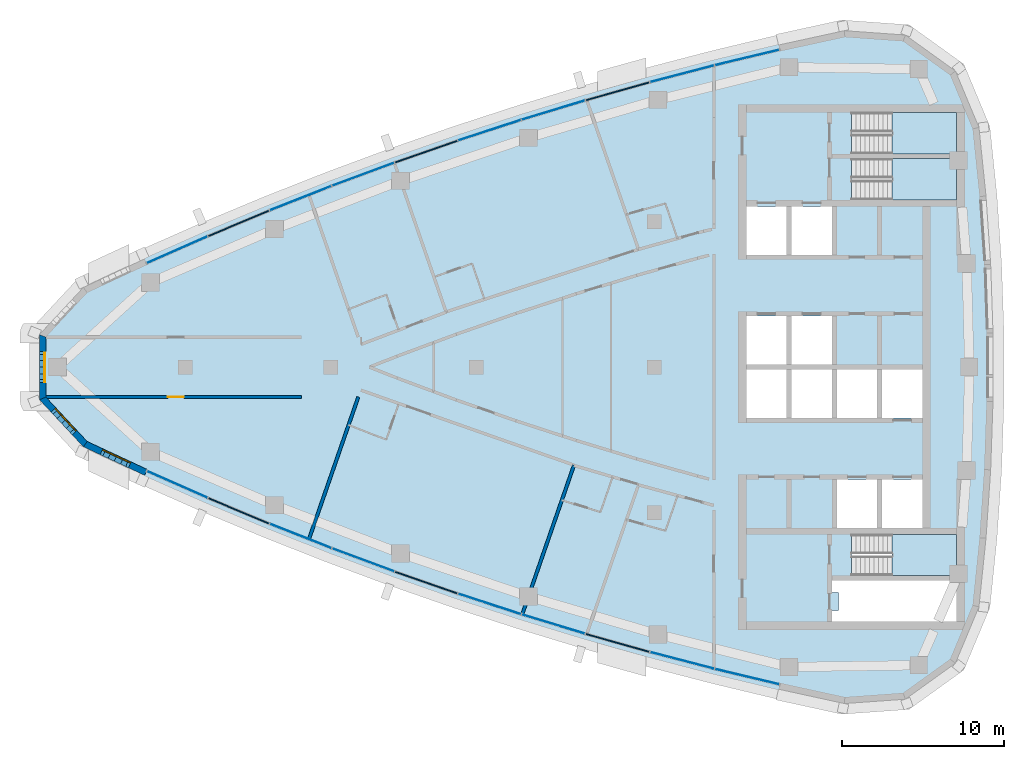
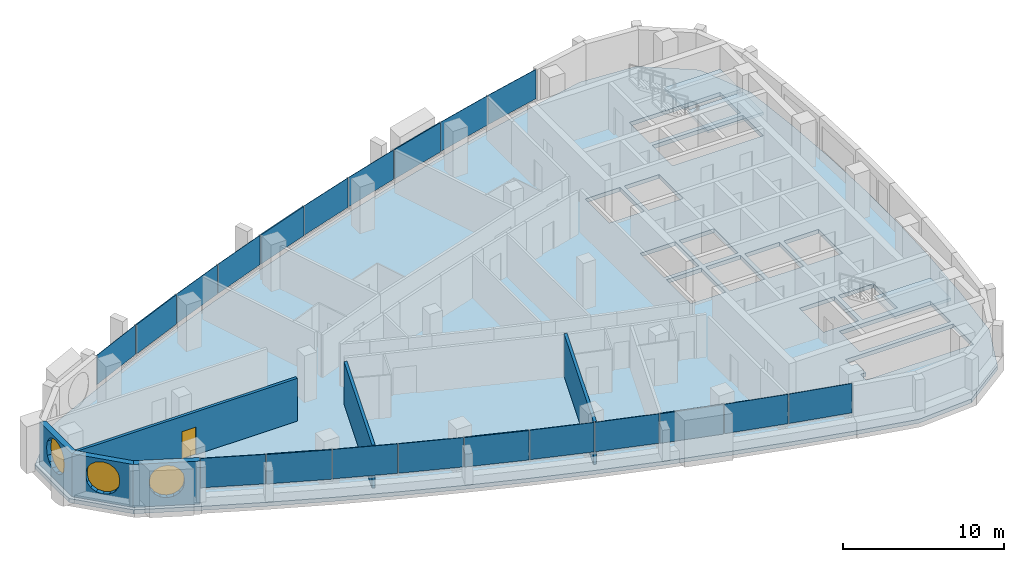
# One storey, part 6 of 14: 20 plates, 6 walls, 4 slabs, 3 windows, 1 door, 5 openings, 13 elements without a shape of their own.
"""IFC4 building model written with IfcOpenShell, lengths in metres."""

import ifcopenshell
import ifcopenshell.guid

model = None  # the IFC model being written
_history = None  # IfcOwnerHistory: only IFC2X3 demands one
_inside = {}  # id of a spatial element -> (the spatial element, [elements in it])
_under = {}  # id of a project, library or spatial element -> (it, [spatial elements below it])
_declared = {}  # id of a project -> (the project, [libraries it declares])
_typed = {}  # id of a type object -> (the type object, [elements of that type])
_made_of = {}  # id of a material, layer set ... -> (it, [elements and type objects made of it])


def new_model(schema):
    """Start an empty IFC model of exactly this schema.

    Asked for "IFC4X3", IfcOpenShell would pick the latest addendum, in which some entities
    have other attributes; the version numbers below select the first issue.
    IFC2X3 requires an IfcOwnerHistory on every rooted entity: one is made here for all.
    """
    global model, _history
    if schema == "IFC4X3":
        model = ifcopenshell.file(schema_version=(4, 3, 0, 0))
    else:
        model = ifcopenshell.file(schema=schema)
    _inside.clear()
    _under.clear()
    _declared.clear()
    _typed.clear()
    _made_of.clear()
    _history = None
    if model.schema == "IFC2X3":
        org = make("IfcOrganization", Name="unknown")
        user = make(
            "IfcPersonAndOrganization",
            ThePerson=make("IfcPerson", FamilyName="unknown"),
            TheOrganization=org,
        )
        app = make(
            "IfcApplication",
            ApplicationDeveloper=org,
            Version="unknown",
            ApplicationFullName="unknown",
            ApplicationIdentifier="unknown",
        )
        _history = make(
            "IfcOwnerHistory",
            OwningUser=user,
            OwningApplication=app,
            ChangeAction="ADDED",
            CreationDate=0,
        )
    return model


def make(cls, **values):
    """One entity of the class cls with the attributes given. An attribute that is None is left unset."""
    return model.create_entity(
        cls, **{name: value for name, value in values.items() if value is not None}
    )


def rooted(cls, **values):
    """An entity with a GlobalId (a new one), such as an element, a storey or a relation."""
    return make(cls, GlobalId=ifcopenshell.guid.new(), OwnerHistory=_history, **values)


def si_unit(unit_type, name, prefix=None):
    """IfcSIUnit, for example si_unit("LENGTHUNIT", "METRE", prefix="MILLI")."""
    return make("IfcSIUnit", UnitType=unit_type, Prefix=prefix, Name=name)


def assignment(units):
    """IfcUnitAssignment: the units of a project."""
    return None if units is None else make("IfcUnitAssignment", Units=units)


def point(xyz):
    """IfcCartesianPoint."""
    return None if xyz is None else make("IfcCartesianPoint", Coordinates=xyz)


def direction(xyz):
    """IfcDirection."""
    return None if xyz is None else make("IfcDirection", DirectionRatios=xyz)


def frame(location, z_axis=None, x_axis=None):
    """IfcAxis2Placement3D, a coordinate frame: its origin and axes. An axis left out is left unset."""
    return make(
        "IfcAxis2Placement3D",
        Location=point(location),
        Axis=direction(z_axis),
        RefDirection=direction(x_axis),
    )


def frame_2d(location, x_axis=None):
    """IfcAxis2Placement2D, a coordinate frame in the plane: its origin and x axis."""
    return make(
        "IfcAxis2Placement2D", Location=point(location), RefDirection=direction(x_axis)
    )


def origin():
    """The frame at (0, 0, 0) with its axes left unset."""
    return frame((0.0, 0.0, 0.0))


def origin_2d():
    """The frame at (0, 0) in the plane with its x axis left unset."""
    return frame_2d((0.0, 0.0))


def place(relative_to, where):
    """IfcLocalPlacement: puts the frame where relative to a parent placement (None: the world)."""
    return make(
        "IfcLocalPlacement", PlacementRelTo=relative_to, RelativePlacement=where
    )


def context(
    kind, dimensions, precision=None, world=None, true_north=None, identifier=None
):
    """IfcGeometricRepresentationContext, for example the 3D "Model" context."""
    return make(
        "IfcGeometricRepresentationContext",
        ContextIdentifier=identifier,
        ContextType=kind,
        CoordinateSpaceDimension=dimensions,
        Precision=precision,
        WorldCoordinateSystem=world,
        TrueNorth=true_north,
    )


def subcontext(parent, identifier, kind, view, scale=None):
    """IfcGeometricRepresentationSubContext, for example "Body" below "Model"."""
    return make(
        "IfcGeometricRepresentationSubContext",
        ContextIdentifier=identifier,
        ContextType=kind,
        ParentContext=parent,
        TargetScale=scale,
        TargetView=view,
    )


def project(units=None, contexts=None):
    """IfcProject with its units and contexts."""
    return rooted(
        "IfcProject",
        Name="project",
        RepresentationContexts=contexts,
        UnitsInContext=assignment(units),
    )


def spatial(cls, under=None, at=None, **own):
    """A site, building, storey or space (cls), placed at a placement, below another one or the project."""
    s = rooted(cls, ObjectPlacement=at, **own)
    if under is not None:
        _under.setdefault(under.id(), (under, []))[1].append(s)
    return s


def polyline(points):
    """IfcPolyline through the points."""
    return make("IfcPolyline", Points=[point(p) for p in points])


def profile(cls, at=None, kind="AREA", **sizes):
    """A parametric profile (cls). Its sizes go by their IFC names, for example OverallWidth=200.0."""
    return make(cls, ProfileType=kind, Position=at, **sizes)


def rectangle(**sizes):
    """IfcRectangleProfileDef."""
    return profile("IfcRectangleProfileDef", **sizes)


def outline(outer, holes=None, kind="AREA"):
    """IfcArbitraryClosedProfileDef: a profile drawn as a closed curve; with holes, ...WithVoids."""
    if holes is None:
        return make("IfcArbitraryClosedProfileDef", ProfileType=kind, OuterCurve=outer)
    return make(
        "IfcArbitraryProfileDefWithVoids",
        ProfileType=kind,
        OuterCurve=outer,
        InnerCurves=holes,
    )


def extrude(swept, where, along, depth):
    """IfcExtrudedAreaSolid: the profile swept, set in the frame where, extruded along a direction by depth."""
    return make(
        "IfcExtrudedAreaSolid",
        SweptArea=swept,
        Position=where,
        ExtrudedDirection=direction(along),
        Depth=depth,
    )


def shape(context_of_items, identifier, shape_type, items):
    """IfcShapeRepresentation: the items that make up one representation, for example the "Body"."""
    return make(
        "IfcShapeRepresentation",
        ContextOfItems=context_of_items,
        RepresentationIdentifier=identifier,
        RepresentationType=shape_type,
        Items=items,
    )


def material(Name=None, Category=None):
    """IfcMaterial."""
    return make("IfcMaterial", Name=Name, Category=Category)


def layer(
    of_material, thickness, ventilated=None, Name=None, Category=None, Priority=None
):
    """IfcMaterialLayer: one layer of a wall or slab, of a material (None: an air gap)."""
    return make(
        "IfcMaterialLayer",
        Material=of_material,
        LayerThickness=thickness,
        IsVentilated=ventilated,
        Name=Name,
        Category=Category,
        Priority=Priority,
    )


def layer_set(layers, Name=None):
    """IfcMaterialLayerSet."""
    return make("IfcMaterialLayerSet", MaterialLayers=layers, LayerSetName=Name)


def made_of(thing, what):
    """Note that an element or type object is made of a material, layer set ...; save() writes the relation."""
    if what is not None:
        _made_of.setdefault(what.id(), (what, []))[1].append(thing)
    return thing


def type_object(cls, material=None, **own):
    """A type object (cls), such as IfcWallType, which elements share."""
    return made_of(rooted(cls, **own), material)


def element(
    cls,
    number,
    at=None,
    inside=None,
    cuts=None,
    type_object=None,
    material=None,
    context=None,
    identifier="Body",
    shape_type=None,
    held_by="IfcProductDefinitionShape",
    body=None,
    shapes=None,
    **own,
):
    """One element of the class cls, such as IfcWall. Its Tag is "e" and its number.

    at: its placement. inside: the storey or other place that contains it. cuts: it is an
    opening in that element (IfcRelVoidsElement). A single representation is given by context,
    identifier, shape_type and body (its items); several are given by shapes. held_by: the class
    of the entity that holds the representations. save() writes the other relations.
    """
    e = rooted(cls, Tag="e%d" % number, ObjectPlacement=at, **own)
    if body is not None:
        shapes = [shape(context, identifier, shape_type, body)]
    if shapes is not None:
        e.Representation = make(held_by, Representations=shapes)
    if inside is not None:
        _inside.setdefault(inside.id(), (inside, []))[1].append(e)
    if cuts is not None:
        rooted(
            "IfcRelVoidsElement", RelatingBuildingElement=cuts, RelatedOpeningElement=e
        )
    if type_object is not None:
        _typed.setdefault(type_object.id(), (type_object, []))[1].append(e)
    return made_of(e, material)


def fill(opening, filler):
    """IfcRelFillsElement: the door or window that sits in an opening."""
    return rooted(
        "IfcRelFillsElement",
        RelatingOpeningElement=opening,
        RelatedBuildingElement=filler,
    )


def aggregate(whole, parts):
    """IfcRelAggregates: a whole, such as a stair, and the parts it consists of."""
    return rooted("IfcRelAggregates", RelatingObject=whole, RelatedObjects=parts)


def save(model, path):
    """Write the relations noted so far, then the file.

    IfcRelAggregates (storeys below a building ...), IfcRelContainedInSpatialStructure (elements
    in a storey), IfcRelDefinesByType, IfcRelAssociatesMaterial and IfcRelDeclares: one each for
    every whole, place, type object, material and project.
    """
    for whole, parts in _under.values():
        aggregate(whole, parts)
    for where, things in _inside.values():
        rooted(
            "IfcRelContainedInSpatialStructure",
            RelatedElements=things,
            RelatingStructure=where,
        )
    for kind, things in _typed.values():
        rooted("IfcRelDefinesByType", RelatedObjects=things, RelatingType=kind)
    for what, things in _made_of.values():
        rooted("IfcRelAssociatesMaterial", RelatedObjects=things, RelatingMaterial=what)
    for by, libraries in _declared.values():
        rooted("IfcRelDeclares", RelatingContext=by, RelatedDefinitions=libraries)
    model.write(path)


model = new_model("IFC4")

# Units and contexts
model_context = context("Model", 3, precision=1e-05, world=origin(), true_north=direction((0.0, 1.0)))
body_context = subcontext(model_context, "Body", "Model", "MODEL_VIEW")
ifc_project = project(units=[si_unit("LENGTHUNIT", "METRE"), si_unit("AREAUNIT", "SQUARE_METRE"), si_unit("VOLUMEUNIT", "CUBIC_METRE"), si_unit("PLANEANGLEUNIT", "RADIAN"), si_unit("MASSUNIT", "GRAM", prefix="KILO")], contexts=[model_context])

# Site, building, storey
site_placement = place(None, origin())
site = spatial("IfcSite", under=ifc_project, at=site_placement, CompositionType="ELEMENT")
building_placement = place(site_placement, origin())
building = spatial("IfcBuilding", under=site, at=building_placement, Name="Ostrand Prow Hotel Tower", CompositionType="ELEMENT")
storey_placement = place(building_placement, frame((0.0, 0.0, 271.449951171875)))
storey = spatial("IfcBuildingStorey", under=building, at=storey_placement, Name="L68", CompositionType="ELEMENT", Elevation=271.449951171875)

# Curtain wall, plate
ifc_material_1 = material(Name="Insulated glass in bronze anodised frame", Category="glass")
ifc_layer_1 = layer(ifc_material_1, 0.199951171875)
ifc_layer_set_1 = layer_set([ifc_layer_1], Name="Insulated glass in bronze anodised frame")
curtain_wall_type = type_object("IfcCurtainWallType", Name="Strip curtain wall, fritted glass over bronze spandrel", PredefinedType="NOTDEFINED", material=ifc_layer_set_1)
curtain_wall_1_placement = place(storey_placement, origin())
curtain_wall_1 = element("IfcCurtainWall", 1, at=curtain_wall_1_placement, inside=storey, type_object=curtain_wall_type, Name="CW1 run CWS1", PredefinedType="NOTDEFINED")
ifc_material_2 = material(Name="Ceramic-fritted glass", Category="glass")
ifc_layer_2 = layer(ifc_material_2, 0.031982421875)
ifc_layer_set_2 = layer_set([ifc_layer_2], Name="Ceramic-fritted glass")
plate_type_1 = type_object("IfcPlateType", Name="Dot-fritted ceramic glass unit 32 mm", PredefinedType="CURTAIN_PANEL", material=ifc_layer_set_2)
plate_1_placement = place(storey_placement, frame((15.493408203125, -7.259765625, 1.02001953125), z_axis=(0.0, 0.0, 1.0), x_axis=(0.914785615941, -0.403939694592, 0.0)))
plate_1 = element("IfcPlate", 2, at=plate_1_placement, type_object=plate_type_1, Name="CW1 PN-D panel 1.2", PredefinedType="CURTAIN_PANEL", context=body_context, shape_type="SweptSolid", body=[
    extrude(rectangle(XDim=4.079833984375, YDim=0.031982421875, at=origin_2d()), origin(), (0.0, 0.0, 1.0), 2.22998046875),
])

# Curtain wall, plates
curtain_wall_2_placement = place(storey_placement, origin())
curtain_wall_2 = element("IfcCurtainWall", 3, at=curtain_wall_2_placement, inside=storey, type_object=curtain_wall_type, Name="CW1 run CWS2", PredefinedType="NOTDEFINED")
plate_2_placement = place(storey_placement, frame((23.132568359375, -10.450927734375, 1.02001953125), z_axis=(0.0, 0.0, 1.0), x_axis=(0.930281895249, -0.366845465248, 0.0)))
plate_2 = element("IfcPlate", 4, at=plate_2_placement, type_object=plate_type_1, Name="CW1 PN-D panel 1.2", PredefinedType="CURTAIN_PANEL", context=body_context, shape_type="SweptSolid", body=[
    extrude(rectangle(XDim=4.079833984375, YDim=0.031982421875, at=origin_2d()), origin(), (0.0, 0.0, 1.0), 2.22998046875),
])
plate_3_placement = place(storey_placement, frame((26.99853515625, -11.930908203125, 1.02001953125), z_axis=(0.0, 0.0, 1.0), x_axis=(0.937468017947, -0.348071422738, 0.0)))
plate_3 = element("IfcPlate", 5, at=plate_3_placement, type_object=plate_type_1, Name="CW1 PN-D panel 2.2", PredefinedType="CURTAIN_PANEL", context=body_context, shape_type="SweptSolid", body=[
    extrude(rectangle(XDim=4.079833984375, YDim=0.031982421875, at=origin_2d()), origin(), (0.0, 0.0, 1.0), 2.22998046875),
])
aggregate(curtain_wall_2, [plate_2, plate_3])

# Curtain wall, plate
curtain_wall_3_placement = place(storey_placement, origin())
curtain_wall_3 = element("IfcCurtainWall", 6, at=curtain_wall_3_placement, inside=storey, type_object=curtain_wall_type, Name="CW1 run CWS3", PredefinedType="NOTDEFINED")
plate_4_placement = place(storey_placement, frame((34.81591796875, -14.65576171875, 1.02001953125), z_axis=(0.0, 0.0, 1.0), x_axis=(0.950700464612, -0.310110668289, 0.0)))
plate_4 = element("IfcPlate", 7, at=plate_4_placement, type_object=plate_type_1, Name="CW1 PN-D panel 2.2", PredefinedType="CURTAIN_PANEL", context=body_context, shape_type="SweptSolid", body=[
    extrude(rectangle(XDim=4.079833984375, YDim=0.031982421875, at=origin_2d()), origin(), (0.0, 0.0, 1.0), 2.22998046875),
])

curtain_wall_4_placement = place(storey_placement, origin())
curtain_wall_4 = element("IfcCurtainWall", 8, at=curtain_wall_4_placement, inside=storey, type_object=curtain_wall_type, Name="CW1 run CWS4", PredefinedType="NOTDEFINED")
plate_5_placement = place(storey_placement, frame((38.76416015625, -15.89990234375, 1.02001953125), z_axis=(0.0, 0.0, 1.0), x_axis=(0.956742015769, -0.290937648411, 0.0)))
plate_5 = element("IfcPlate", 9, at=plate_5_placement, type_object=plate_type_1, Name="CW1 PN-D panel 1.2", PredefinedType="CURTAIN_PANEL", context=body_context, shape_type="SweptSolid", body=[
    extrude(rectangle(XDim=4.079833984375, YDim=0.031982421875, at=origin_2d()), origin(), (0.0, 0.0, 1.0), 2.22998046875),
])

# Curtain wall, plates
curtain_wall_5_placement = place(storey_placement, origin())
curtain_wall_5 = element("IfcCurtainWall", 10, at=curtain_wall_5_placement, inside=storey, type_object=curtain_wall_type, Name="CW1 run CWS5", PredefinedType="NOTDEFINED")
plate_6_placement = place(storey_placement, frame((46.731689453125, -18.148681640625, 1.02001953125), z_axis=(0.0, 0.0, 1.0), x_axis=(0.967662519855, -0.252248384867, 0.0)))
plate_6 = element("IfcPlate", 11, at=plate_6_placement, type_object=plate_type_1, Name="CW1 PN-D panel 1.2", PredefinedType="CURTAIN_PANEL", context=body_context, shape_type="SweptSolid", body=[
    extrude(rectangle(XDim=4.079833984375, YDim=0.031982421875, at=origin_2d()), origin(), (0.0, 0.0, 1.0), 2.22998046875),
])
plate_7_placement = place(storey_placement, frame((50.74755859375, -19.152587890625, 1.02001953125), z_axis=(0.0, 0.0, 1.0), x_axis=(0.972537533869, -0.232746096028, 0.0)))
plate_7 = element("IfcPlate", 12, at=plate_7_placement, type_object=plate_type_1, Name="CW1 PN-D panel 2.2", PredefinedType="CURTAIN_PANEL", context=body_context, shape_type="SweptSolid", body=[
    extrude(rectangle(XDim=4.079833984375, YDim=0.031982421875, at=origin_2d()), origin(), (0.0, 0.0, 1.0), 2.22998046875),
])
aggregate(curtain_wall_5, [plate_6, plate_7])

curtain_wall_6_placement = place(storey_placement, origin())
curtain_wall_6 = element("IfcCurtainWall", 13, at=curtain_wall_6_placement, inside=storey, type_object=curtain_wall_type, Name="CW1 run CWN1", PredefinedType="NOTDEFINED")
plate_8_placement = place(storey_placement, frame((50.74755859375, 19.152587890625, 1.02001953125), z_axis=(0.0, 0.0, 1.0), x_axis=(-0.972537533869, -0.232746096028, 0.0)))
plate_8 = element("IfcPlate", 14, at=plate_8_placement, type_object=plate_type_1, Name="CW1 PN-D panel 1.2", PredefinedType="CURTAIN_PANEL", context=body_context, shape_type="SweptSolid", body=[
    extrude(rectangle(XDim=4.079833984375, YDim=0.031982421875, at=origin_2d()), origin(), (0.0, 0.0, 1.0), 2.22998046875),
])
plate_9_placement = place(storey_placement, frame((46.731689453125, 18.148681640625, 1.02001953125), z_axis=(0.0, 0.0, 1.0), x_axis=(-0.967662519855, -0.252248384867, 0.0)))
plate_9 = element("IfcPlate", 15, at=plate_9_placement, type_object=plate_type_1, Name="CW1 PN-D panel 2.2", PredefinedType="CURTAIN_PANEL", context=body_context, shape_type="SweptSolid", body=[
    extrude(rectangle(XDim=4.079833984375, YDim=0.031982421875, at=origin_2d()), origin(), (0.0, 0.0, 1.0), 2.22998046875),
])
aggregate(curtain_wall_6, [plate_8, plate_9])

# Curtain wall, plate
curtain_wall_7_placement = place(storey_placement, origin())
curtain_wall_7 = element("IfcCurtainWall", 16, at=curtain_wall_7_placement, inside=storey, type_object=curtain_wall_type, Name="CW1 run CWN2", PredefinedType="NOTDEFINED")
plate_10_placement = place(storey_placement, frame((38.76416015625, 15.89990234375, 1.02001953125), z_axis=(0.0, 0.0, 1.0), x_axis=(-0.956742015769, -0.290937648411, 0.0)))
plate_10 = element("IfcPlate", 17, at=plate_10_placement, type_object=plate_type_1, Name="CW1 PN-D panel 2.2", PredefinedType="CURTAIN_PANEL", context=body_context, shape_type="SweptSolid", body=[
    extrude(rectangle(XDim=4.079833984375, YDim=0.031982421875, at=origin_2d()), origin(), (0.0, 0.0, 1.0), 2.22998046875),
])

curtain_wall_8_placement = place(storey_placement, origin())
curtain_wall_8 = element("IfcCurtainWall", 18, at=curtain_wall_8_placement, inside=storey, type_object=curtain_wall_type, Name="CW1 run CWN3", PredefinedType="NOTDEFINED")
plate_11_placement = place(storey_placement, frame((34.81591796875, 14.65576171875, 1.02001953125), z_axis=(0.0, 0.0, 1.0), x_axis=(-0.950700464612, -0.310110668289, 0.0)))
plate_11 = element("IfcPlate", 19, at=plate_11_placement, type_object=plate_type_1, Name="CW1 PN-D panel 1.2", PredefinedType="CURTAIN_PANEL", context=body_context, shape_type="SweptSolid", body=[
    extrude(rectangle(XDim=4.079833984375, YDim=0.031982421875, at=origin_2d()), origin(), (0.0, 0.0, 1.0), 2.22998046875),
])

# Curtain wall, plates
curtain_wall_9_placement = place(storey_placement, origin())
curtain_wall_9 = element("IfcCurtainWall", 20, at=curtain_wall_9_placement, inside=storey, type_object=curtain_wall_type, Name="CW1 run CWN4", PredefinedType="NOTDEFINED")
plate_12_placement = place(storey_placement, frame((26.99853515625, 11.930908203125, 1.02001953125), z_axis=(0.0, 0.0, 1.0), x_axis=(-0.937468017947, -0.348071422738, 0.0)))
plate_12 = element("IfcPlate", 21, at=plate_12_placement, type_object=plate_type_1, Name="CW1 PN-D panel 1.2", PredefinedType="CURTAIN_PANEL", context=body_context, shape_type="SweptSolid", body=[
    extrude(rectangle(XDim=4.079833984375, YDim=0.031982421875, at=origin_2d()), origin(), (0.0, 0.0, 1.0), 2.22998046875),
])
plate_13_placement = place(storey_placement, frame((23.132568359375, 10.450927734375, 1.02001953125), z_axis=(0.0, 0.0, 1.0), x_axis=(-0.930281895249, -0.366845465248, 0.0)))
plate_13 = element("IfcPlate", 22, at=plate_13_placement, type_object=plate_type_1, Name="CW1 PN-D panel 2.2", PredefinedType="CURTAIN_PANEL", context=body_context, shape_type="SweptSolid", body=[
    extrude(rectangle(XDim=4.079833984375, YDim=0.031982421875, at=origin_2d()), origin(), (0.0, 0.0, 1.0), 2.22998046875),
])
aggregate(curtain_wall_9, [plate_12, plate_13])

# Curtain wall, plate
curtain_wall_10_placement = place(storey_placement, origin())
curtain_wall_10 = element("IfcCurtainWall", 23, at=curtain_wall_10_placement, inside=storey, type_object=curtain_wall_type, Name="CW1 run CWN5", PredefinedType="NOTDEFINED")
plate_14_placement = place(storey_placement, frame((15.493408203125, 7.259765625, 1.02001953125), z_axis=(0.0, 0.0, 1.0), x_axis=(-0.914785615941, -0.403939694592, 0.0)))
plate_14 = element("IfcPlate", 24, at=plate_14_placement, type_object=plate_type_1, Name="CW1 PN-D panel 2.2", PredefinedType="CURTAIN_PANEL", context=body_context, shape_type="SweptSolid", body=[
    extrude(rectangle(XDim=4.079833984375, YDim=0.031982421875, at=origin_2d()), origin(), (0.0, 0.0, 1.0), 2.22998046875),
])

# Plate
ifc_material_3 = material(Name="Fritted glass in bronze vent frame", Category="glass")
ifc_layer_3 = layer(ifc_material_3, 0.080078125)
ifc_layer_set_3 = layer_set([ifc_layer_3], Name="Fritted glass in bronze vent frame")
plate_type_2 = type_object("IfcPlateType", Name="Operable vent panel 80 mm", PredefinedType="CURTAIN_PANEL", material=ifc_layer_set_3)
plate_15_placement = place(storey_placement, frame((19.297119140625, -8.893798828125, 1.02001953125), z_axis=(0.0, 0.0, 1.0), x_axis=(0.922719840955, -0.385471263659, 0.0)))
plate_15 = element("IfcPlate", 25, at=plate_15_placement, type_object=plate_type_2, Name="CW1 PN-O2 panel 2.2", PredefinedType="CURTAIN_PANEL", context=body_context, shape_type="SweptSolid", body=[
    extrude(rectangle(XDim=4.079833984375, YDim=0.080078125, at=origin_2d()), origin(), (0.0, 0.0, 1.0), 2.22998046875),
])

aggregate(curtain_wall_1, [plate_1, plate_15])

plate_16_placement = place(storey_placement, frame((30.8935546875, -13.33251953125, 1.02001953125), z_axis=(0.0, 0.0, 1.0), x_axis=(0.944274730614, -0.329158370885, 0.0)))
plate_16 = element("IfcPlate", 26, at=plate_16_placement, type_object=plate_type_2, Name="CW1 PN-O2 panel 1.2", PredefinedType="CURTAIN_PANEL", context=body_context, shape_type="SweptSolid", body=[
    extrude(rectangle(XDim=4.079833984375, YDim=0.080078125, at=origin_2d()), origin(), (0.0, 0.0, 1.0), 2.22998046875),
])

aggregate(curtain_wall_3, [plate_16, plate_4])

plate_17_placement = place(storey_placement, frame((42.736572265625, -17.064453125, 1.02001953125), z_axis=(0.0, 0.0, 1.0), x_axis=(0.962396468548, -0.271648738865, 0.0)))
plate_17 = element("IfcPlate", 27, at=plate_17_placement, type_object=plate_type_2, Name="CW1 PN-O2 panel 2.2", PredefinedType="CURTAIN_PANEL", context=body_context, shape_type="SweptSolid", body=[
    extrude(rectangle(XDim=4.079833984375, YDim=0.080078125, at=origin_2d()), origin(), (0.0, 0.0, 1.0), 2.22998046875),
])

aggregate(curtain_wall_4, [plate_5, plate_17])

plate_18_placement = place(storey_placement, frame((42.736572265625, 17.064453125, 1.02001953125), z_axis=(0.0, 0.0, 1.0), x_axis=(-0.962396468548, -0.271648738865, 0.0)))
plate_18 = element("IfcPlate", 28, at=plate_18_placement, type_object=plate_type_2, Name="CW1 PN-O2 panel 1.2", PredefinedType="CURTAIN_PANEL", context=body_context, shape_type="SweptSolid", body=[
    extrude(rectangle(XDim=4.079833984375, YDim=0.080078125, at=origin_2d()), origin(), (0.0, 0.0, 1.0), 2.22998046875),
])

aggregate(curtain_wall_7, [plate_18, plate_10])

plate_19_placement = place(storey_placement, frame((30.8935546875, 13.33251953125, 1.02001953125), z_axis=(0.0, 0.0, 1.0), x_axis=(-0.944274730614, -0.329158370885, 0.0)))
plate_19 = element("IfcPlate", 29, at=plate_19_placement, type_object=plate_type_2, Name="CW1 PN-O2 panel 2.2", PredefinedType="CURTAIN_PANEL", context=body_context, shape_type="SweptSolid", body=[
    extrude(rectangle(XDim=4.079833984375, YDim=0.080078125, at=origin_2d()), origin(), (0.0, 0.0, 1.0), 2.22998046875),
])

aggregate(curtain_wall_8, [plate_11, plate_19])

plate_20_placement = place(storey_placement, frame((19.297119140625, 8.893798828125, 1.02001953125), z_axis=(0.0, 0.0, 1.0), x_axis=(-0.922719840955, -0.385471263659, 0.0)))
plate_20 = element("IfcPlate", 30, at=plate_20_placement, type_object=plate_type_2, Name="CW1 PN-O2 panel 1.2", PredefinedType="CURTAIN_PANEL", context=body_context, shape_type="SweptSolid", body=[
    extrude(rectangle(XDim=4.079833984375, YDim=0.080078125, at=origin_2d()), origin(), (0.0, 0.0, 1.0), 2.22998046875),
])

aggregate(curtain_wall_10, [plate_20, plate_14])

# Slab, opening
ifc_material_4 = material(Name="Concrete C40/50", Category="concrete")
ifc_layer_4 = layer(ifc_material_4, 0.300048828125)
ifc_layer_set_4 = layer_set([ifc_layer_4], Name="Concrete C40/50")
slab_type_1 = type_object("IfcSlabType", Name="PT flat plate 300 C40/50", PredefinedType="FLOOR", material=ifc_layer_set_4)
slab_1_placement = place(storey_placement, frame((0.0, 0.0, -0.300048828125)))
slab_1 = element("IfcSlab", 31, at=slab_1_placement, inside=storey, type_object=slab_type_1, Name="Floor slab L68-1", PredefinedType="FLOOR", context=body_context, shape_type="SweptSolid", body=[
    extrude(outline(polyline([(9.560791015625, 5.168212890625), (13.365478515625, 6.9404296875), (17.1630859375, 8.6171875), (20.993408203125, 10.21728515625), (24.855224609375, 11.740234375), (28.746826171875, 13.185302734375), (32.666748046875, 14.551513671875), (36.61328125, 15.8388671875), (40.5849609375, 17.046630859375), (44.580078125, 18.17431640625), (48.596923828125, 19.221435546875), (52.634033203125, 20.187744140625), (56.72265625, 21.07958984375), (60.634765625, 20.80029296875), (63.84765625, 18.49072265625), (65.35888671875, 14.87060546875), (65.796875, 10.611083984375), (66.0869140625, 6.37158203125), (66.23193359375, 2.124755859375), (66.23193359375, -2.124755859375), (66.0869140625, -6.37158203125), (65.796875, -10.611083984375), (65.35888671875, -14.87060546875), (63.84765625, -18.49072265625), (60.634765625, -20.80029296875), (56.72265625, -21.07958984375), (52.634033203125, -20.187744140625), (48.596923828125, -19.221435546875), (44.580078125, -18.17431640625), (40.5849609375, -17.046630859375), (36.61328125, -15.8388671875), (32.666748046875, -14.551513671875), (28.746826171875, -13.185302734375), (24.855224609375, -11.740234375), (20.993408203125, -10.21728515625), (17.1630859375, -8.6171875), (13.365478515625, -6.9404296875), (9.560791015625, -5.168212890625), (6.71484375, -2.112548828125), (6.71484375, 2.112548828125), (9.560791015625, 5.168212890625)]), holes=[polyline([(50.699951171875, 6.949951171875), (53.199951171875, 6.949951171875), (53.199951171875, 9.949951171875), (50.699951171875, 9.949951171875), (50.699951171875, 6.949951171875)]), polyline([(53.5, 6.949951171875), (56.0, 6.949951171875), (56.0, 9.949951171875), (53.5, 9.949951171875), (53.5, 6.949951171875)]), polyline([(50.699951171875, 0.14990234375), (53.199951171875, 0.14990234375), (53.199951171875, 3.14990234375), (50.699951171875, 3.14990234375), (50.699951171875, 0.14990234375)]), polyline([(53.5, 0.14990234375), (56.0, 0.14990234375), (56.0, 3.14990234375), (53.5, 3.14990234375), (53.5, 0.14990234375)]), polyline([(50.699951171875, -3.14990234375), (53.199951171875, -3.14990234375), (53.199951171875, -0.14990234375), (50.699951171875, -0.14990234375), (50.699951171875, -3.14990234375)]), polyline([(53.5, -3.14990234375), (56.0, -3.14990234375), (56.0, -0.14990234375), (53.5, -0.14990234375), (53.5, -3.14990234375)]), polyline([(56.300048828125, -3.14990234375), (58.800048828125, -3.14990234375), (58.800048828125, -0.14990234375), (56.300048828125, -0.14990234375), (56.300048828125, -3.14990234375)]), polyline([(59.10009765625, -3.14990234375), (61.60009765625, -3.14990234375), (61.60009765625, -0.14990234375), (59.10009765625, -0.14990234375), (59.10009765625, -3.14990234375)]), polyline([(56.300048828125, -9.949951171875), (58.800048828125, -9.949951171875), (58.800048828125, -6.949951171875), (56.300048828125, -6.949951171875), (56.300048828125, -9.949951171875)]), polyline([(59.10009765625, -9.949951171875), (61.60009765625, -9.949951171875), (61.60009765625, -6.949951171875), (59.10009765625, -6.949951171875), (59.10009765625, -9.949951171875)]), polyline([(57.200927734375, 10.35107421875), (57.200927734375, 12.89892578125), (63.718994140625, 12.89892578125), (63.718994140625, 10.35107421875), (57.200927734375, 10.35107421875)]), polyline([(57.200927734375, 13.200927734375), (57.200927734375, 15.7490234375), (63.718994140625, 15.7490234375), (63.718994140625, 13.200927734375), (57.200927734375, 13.200927734375)]), polyline([(57.200927734375, -12.89892578125), (57.200927734375, -10.35107421875), (63.718994140625, -10.35107421875), (63.718994140625, -12.89892578125), (57.200927734375, -12.89892578125)]), polyline([(56.0, -13.949951171875), (56.0, -13.199951171875), (63.719970703125, -13.199951171875), (63.719970703125, -15.75), (56.0, -15.75), (56.0, -15.050048828125), (56.39990234375, -15.050048828125), (56.39990234375, -13.949951171875), (56.0, -13.949951171875)])]), origin(), (0.0, 0.0, 1.0), 0.300048828125),
])
opening_1_placement = place(slab_1_placement, origin())
element("IfcOpeningElement", 32, at=opening_1_placement, cuts=slab_1, Name="Shaft opening 1", PredefinedType="OPENING", context=body_context, shape_type="SweptSolid", body=[
    extrude(outline(polyline([(56.0, -13.949951171875), (56.0, -13.199951171875), (63.719970703125, -13.199951171875), (63.719970703125, -15.75), (56.0, -15.75), (56.0, -15.050048828125), (56.39990234375, -15.050048828125), (56.39990234375, -13.949951171875), (56.0, -13.949951171875)])), origin(), (0.0, 0.0, 1.0), 0.300048828125),
])

# Stair, slab
ifc_material_5 = material(Name="Concrete C40/50", Category="concrete")
stair_type = type_object("IfcStairType", Name="Exit stair 1200 upper zone", PredefinedType="HALF_TURN_STAIR", material=ifc_material_5)
stair_1_placement = place(storey_placement, origin())
stair_1 = element("IfcStair", 33, at=stair_1_placement, inside=storey, type_object=stair_type, Name="L68 ST1C", PredefinedType="HALF_TURN_STAIR")
ifc_material_6 = material(Name="Concrete C40/50", Category="concrete")
ifc_layer_5 = layer(ifc_material_6, 0.199951171875)
ifc_layer_set_5 = layer_set([ifc_layer_5], Name="Concrete C40/50")
slab_type_2 = type_object("IfcSlabType", Name="Stair landing 200 concrete", PredefinedType="LANDING", material=ifc_layer_set_5)
slab_2_placement = place(storey_placement, frame((0.0, 0.0, 1.574951171875)))
slab_2 = element("IfcSlab", 34, at=slab_2_placement, type_object=slab_type_2, Name="ST1C landing 1", PredefinedType="LANDING", context=body_context, shape_type="SweptSolid", body=[
    extrude(outline(polyline([(59.719970703125, 10.35009765625), (63.719970703125, 10.35009765625), (63.719970703125, 12.89990234375), (59.719970703125, 12.89990234375), (59.719970703125, 10.35009765625)])), origin(), (0.0, 0.0, 1.0), 0.2001953125),
])
aggregate(stair_1, [slab_2])

stair_2_placement = place(storey_placement, origin())
stair_2 = element("IfcStair", 35, at=stair_2_placement, inside=storey, type_object=stair_type, Name="L68 ST3C", PredefinedType="HALF_TURN_STAIR")
slab_3_placement = place(storey_placement, frame((0.0, 0.0, 1.574951171875)))
slab_3 = element("IfcSlab", 36, at=slab_3_placement, type_object=slab_type_2, Name="ST3C landing 1", PredefinedType="LANDING", context=body_context, shape_type="SweptSolid", body=[
    extrude(outline(polyline([(59.719970703125, 13.199951171875), (63.719970703125, 13.199951171875), (63.719970703125, 15.75), (59.719970703125, 15.75), (59.719970703125, 13.199951171875)])), origin(), (0.0, 0.0, 1.0), 0.2001953125),
])
aggregate(stair_2, [slab_3])

stair_3_placement = place(storey_placement, origin())
stair_3 = element("IfcStair", 37, at=stair_3_placement, inside=storey, type_object=stair_type, Name="L68 ST2C", PredefinedType="HALF_TURN_STAIR")
slab_4_placement = place(storey_placement, frame((0.0, 0.0, 1.574951171875)))
slab_4 = element("IfcSlab", 38, at=slab_4_placement, type_object=slab_type_2, Name="ST2C landing 1", PredefinedType="LANDING", context=body_context, shape_type="SweptSolid", body=[
    extrude(outline(polyline([(59.719970703125, -12.89990234375), (63.719970703125, -12.89990234375), (63.719970703125, -10.35009765625), (59.719970703125, -10.35009765625), (59.719970703125, -12.89990234375)])), origin(), (0.0, 0.0, 1.0), 0.2001953125),
])
aggregate(stair_3, [slab_4])

# Wall, opening, door
ifc_material_7 = material(Name="Plasterboard partition")
ifc_layer_6 = layer(ifc_material_7, 0.199951171875)
ifc_layer_set_6 = layer_set([ifc_layer_6], Name="Plasterboard partition")
wall_type_1 = type_object("IfcWallType", Name="Partition 200 corridor wall", PredefinedType="PARTITIONING", material=ifc_layer_set_6)
wall_1_placement = place(storey_placement, frame((7.287109375, -1.85009765625, 0.0), z_axis=(0.0, 0.0, 1.0), x_axis=(1.0, 0.0, 0.0)))
wall_1 = element("IfcWall", 39, at=wall_1_placement, inside=storey, type_object=wall_type_1, Name="CORRIDOR WALL", PredefinedType="PARTITIONING", context=body_context, shape_type="SweptSolid", body=[
    extrude(rectangle(XDim=15.898681640625, YDim=0.199951171875, at=frame_2d((7.94921875, 0.0))), origin(), (0.0, 0.0, 1.0), 3.25),
])
opening_2_placement = place(wall_1_placement, frame((7.6240234375, 0.0, 0.0)))
opening_2 = element("IfcOpeningElement", 40, at=opening_2_placement, cuts=wall_1, Name="Opening D1R", PredefinedType="OPENING", context=body_context, shape_type="SweptSolid", body=[
    extrude(rectangle(XDim=1.0, YDim=2.10009765625, at=frame_2d((0.5, 1.050048828125))), frame((0.0, 0.10986328125, 0.0), z_axis=(0.0, -1.0, 0.0), x_axis=(1.0, 0.0, 0.0)), (0.0, 0.0, 1.0), 0.219970703125),
])
ifc_material_8 = material(Name="Timber door leaf", Category="wood")
door_type = type_object("IfcDoorType", Name="Guest room door 1000 right", OperationType="SINGLE_SWING_RIGHT", PredefinedType="DOOR", material=ifc_material_8)
door_placement = place(opening_2_placement, origin())
door = element("IfcDoor", 41, at=door_placement, inside=storey, type_object=door_type, Name="DOOR", OperationType="SINGLE_SWING_RIGHT", OverallHeight=2.10009765625, OverallWidth=1.0, PredefinedType="DOOR", context=body_context, shape_type="SweptSolid", body=[
    extrude(rectangle(XDim=1.0, YDim=2.10009765625, at=frame_2d((0.5, 1.050048828125))), frame((0.0, 0.02490234375, 0.0), z_axis=(0.0, -1.0, 0.0), x_axis=(1.0, 0.0, 0.0)), (0.0, 0.0, 1.0), 0.050048828125),
])
fill(opening_2, door)

# Walls
ifc_material_9 = material(Name="Plasterboard partition")
ifc_layer_7 = layer(ifc_material_9, 0.199951171875)
ifc_layer_set_7 = layer_set([ifc_layer_7], Name="Plasterboard partition")
wall_type_2 = type_object("IfcWallType", Name="Partition 200 key partition", PredefinedType="PARTITIONING", material=ifc_layer_set_7)
wall_2_placement = place(storey_placement, frame((23.66845703125, -10.573486328125, 0.0), z_axis=(0.0, 0.0, 1.0), x_axis=(0.327714422317, 0.944776829418, 0.0)))
element("IfcWall", 42, at=wall_2_placement, inside=storey, type_object=wall_type_2, Name="KEY PARTITION", PredefinedType="PARTITIONING", context=body_context, shape_type="SweptSolid", body=[
    extrude(rectangle(XDim=9.2333984375, YDim=0.199951171875, at=frame_2d((4.61669921875, 0.0))), origin(), (0.0, 0.0, 1.0), 3.25),
])
wall_3_placement = place(storey_placement, frame((36.86083984375, -15.23486328125, 0.0), z_axis=(0.0, 0.0, 1.0), x_axis=(0.327710853631, 0.944778067279, 0.0)))
element("IfcWall", 43, at=wall_3_placement, inside=storey, type_object=wall_type_2, Name="KEY PARTITION", PredefinedType="PARTITIONING", context=body_context, shape_type="SweptSolid", body=[
    extrude(rectangle(XDim=9.707275390625, YDim=0.199951171875, at=frame_2d((4.853515625, 0.0))), origin(), (0.0, 0.0, 1.0), 3.25),
])

# Wall, opening, window
ifc_material_10 = material(Name="Precast concrete C40/50", Category="concrete")
ifc_layer_8 = layer(ifc_material_10, 0.39990234375)
ifc_layer_set_8 = layer_set([ifc_layer_8], Name="Precast concrete C40/50")
wall_type_3 = type_object("IfcWallType", Name="Stone-faced precast wall 400 mm", PredefinedType="NOTDEFINED", material=ifc_layer_set_8)
wall_4_placement = place(storey_placement, frame((7.167236328125, 1.9345703125, 0.0), z_axis=(0.0, 0.0, 1.0), x_axis=(0.0, -1.0, 0.0)))
wall_4 = element("IfcWall", 44, at=wall_4_placement, inside=storey, type_object=wall_type_3, Name="Stone-faced wall prow 3", PredefinedType="NOTDEFINED", context=body_context, shape_type="SweptSolid", body=[
    extrude(outline(polyline([(-0.07861328125, -0.199951171875), (3.94775390625, -0.199951171875), (3.79052734375, 0.199951171875), (0.07861328125, 0.199951171875), (-0.07861328125, -0.199951171875)])), origin(), (0.0, 0.0, 1.0), 3.25),
])
opening_3_placement = place(wall_4_placement, frame((0.834716796875, 0.0, 0.60009765625)))
opening_3 = element("IfcOpeningElement", 45, at=opening_3_placement, cuts=wall_4, Name="Opening WP1", PredefinedType="OPENING", context=body_context, shape_type="SweptSolid", body=[
    extrude(outline(polyline([(0.0, 1.35009765625), (0.083740234375, 1.77099609375), (0.322265625, 2.127685546875), (0.678955078125, 2.3662109375), (1.10009765625, 2.449951171875), (1.52099609375, 2.3662109375), (1.877685546875, 2.127685546875), (2.1162109375, 1.77099609375), (2.199951171875, 1.35009765625), (2.199951171875, 1.10009765625), (2.1162109375, 0.678955078125), (1.877685546875, 0.322265625), (1.52099609375, 0.083740234375), (1.10009765625, 0.0), (0.678955078125, 0.083740234375), (0.322265625, 0.322265625), (0.083740234375, 0.678955078125), (0.0, 1.099853515625), (0.0, 1.35009765625)])), frame((0.0, 0.2099609375, 0.0), z_axis=(0.0, -1.0, 0.0), x_axis=(1.0, 0.0, 0.0)), (0.0, 0.0, 1.0), 0.419921875),
])
ifc_material_11 = material(Name="Insulated glass in bronze frame", Category="glass")
window_type = type_object("IfcWindowType", Name="Round-ended prow window 2200x2450", PartitioningType="SINGLE_PANEL", PredefinedType="WINDOW", material=ifc_material_11)
window_1_placement = place(opening_3_placement, origin())
window_1 = element("IfcWindow", 46, at=window_1_placement, inside=storey, type_object=window_type, Name="Window prow 3.1", OverallHeight=2.449951171875, OverallWidth=2.199951171875, PartitioningType="SINGLE_PANEL", PredefinedType="WINDOW", context=body_context, shape_type="SweptSolid", body=[
    extrude(outline(polyline([(0.0, 1.35009765625), (0.083740234375, 1.77099609375), (0.322265625, 2.127685546875), (0.678955078125, 2.3662109375), (1.10009765625, 2.449951171875), (1.52099609375, 2.3662109375), (1.877685546875, 2.127685546875), (2.1162109375, 1.77099609375), (2.199951171875, 1.35009765625), (2.199951171875, 1.10009765625), (2.1162109375, 0.678955078125), (1.877685546875, 0.322265625), (1.52099609375, 0.083740234375), (1.10009765625, 0.0), (0.678955078125, 0.083740234375), (0.322265625, 0.322265625), (0.083740234375, 0.678955078125), (0.0, 1.099853515625), (0.0, 1.35009765625)])), frame((0.0, 0.169921875, 0.0), z_axis=(0.0, -1.0, 0.0), x_axis=(1.0, 0.0, 0.0)), (0.0, 0.0, 1.0), 0.06005859375),
])
fill(opening_3, window_1)

wall_5_placement = place(storey_placement, frame((7.167236328125, -1.9345703125, 0.0), z_axis=(0.0, 0.0, 1.0), x_axis=(0.6815467277, -0.73177459505, 0.0)))
wall_5 = element("IfcWall", 47, at=wall_5_placement, inside=storey, type_object=wall_type_3, Name="Stone-faced wall prow 4", PredefinedType="NOTDEFINED", context=body_context, shape_type="SweptSolid", body=[
    extrude(outline(polyline([(-0.07861328125, -0.199951171875), (3.908203125, -0.199951171875), (3.830078125, 0.199951171875), (0.07861328125, 0.199951171875), (-0.07861328125, -0.199951171875)])), origin(), (0.0, 0.0, 1.0), 3.25),
])
opening_4_placement = place(wall_5_placement, frame((0.834716796875, 0.0, 0.60009765625)))
opening_4 = element("IfcOpeningElement", 48, at=opening_4_placement, cuts=wall_5, Name="Opening WP1", PredefinedType="OPENING", context=body_context, shape_type="SweptSolid", body=[
    extrude(outline(polyline([(0.0, 1.35009765625), (0.083740234375, 1.77099609375), (0.322265625, 2.127685546875), (0.678955078125, 2.3662109375), (1.10009765625, 2.449951171875), (1.52099609375, 2.3662109375), (1.877685546875, 2.127685546875), (2.1162109375, 1.77099609375), (2.199951171875, 1.35009765625), (2.199951171875, 1.10009765625), (2.1162109375, 0.678955078125), (1.877685546875, 0.322265625), (1.52099609375, 0.083740234375), (1.10009765625, 0.0), (0.678955078125, 0.083740234375), (0.322265625, 0.322265625), (0.083740234375, 0.678955078125), (0.0, 1.099853515625), (0.0, 1.35009765625)])), frame((0.0, 0.2099609375, 0.0), z_axis=(0.0, -1.0, 0.0), x_axis=(1.0, 0.0, 0.0)), (0.0, 0.0, 1.0), 0.419921875),
])
window_2_placement = place(opening_4_placement, origin())
window_2 = element("IfcWindow", 49, at=window_2_placement, inside=storey, type_object=window_type, Name="Window prow 4.1", OverallHeight=2.449951171875, OverallWidth=2.199951171875, PartitioningType="SINGLE_PANEL", PredefinedType="WINDOW", context=body_context, shape_type="SweptSolid", body=[
    extrude(outline(polyline([(0.0, 1.35009765625), (0.083740234375, 1.77099609375), (0.322265625, 2.127685546875), (0.678955078125, 2.3662109375), (1.10009765625, 2.449951171875), (1.52099609375, 2.3662109375), (1.877685546875, 2.127685546875), (2.1162109375, 1.77099609375), (2.199951171875, 1.35009765625), (2.199951171875, 1.10009765625), (2.1162109375, 0.678955078125), (1.877685546875, 0.322265625), (1.52099609375, 0.083740234375), (1.10009765625, 0.0), (0.678955078125, 0.083740234375), (0.322265625, 0.322265625), (0.083740234375, 0.678955078125), (0.0, 1.099853515625), (0.0, 1.35009765625)])), frame((0.0, 0.169921875, 0.0), z_axis=(0.0, -1.0, 0.0), x_axis=(1.0, 0.0, 0.0)), (0.0, 0.0, 1.0), 0.06005859375),
])
fill(opening_4, window_2)

wall_6_placement = place(storey_placement, frame((9.80419921875, -4.765869140625, 0.0), z_axis=(0.0, 0.0, 1.0), x_axis=(0.906485602396, -0.42223672584, 0.0)))
wall_6 = element("IfcWall", 50, at=wall_6_placement, inside=storey, type_object=wall_type_3, Name="Stone-faced wall prow 5", PredefinedType="NOTDEFINED", context=body_context, shape_type="SweptSolid", body=[
    extrude(outline(polyline([(-0.0390625, -0.199951171875), (4.1416015625, -0.199951171875), (4.1416015625, 0.199951171875), (0.0390625, 0.199951171875), (-0.0390625, -0.199951171875)])), origin(), (0.0, 0.0, 1.0), 3.25),
])
opening_5_placement = place(wall_6_placement, frame((0.970947265625, 0.0, 0.60009765625)))
opening_5 = element("IfcOpeningElement", 51, at=opening_5_placement, cuts=wall_6, Name="Opening WP1", PredefinedType="OPENING", context=body_context, shape_type="SweptSolid", body=[
    extrude(outline(polyline([(0.0, 1.35009765625), (0.083740234375, 1.77099609375), (0.322265625, 2.127685546875), (0.678955078125, 2.3662109375), (1.10009765625, 2.449951171875), (1.52099609375, 2.3662109375), (1.877685546875, 2.127685546875), (2.1162109375, 1.77099609375), (2.199951171875, 1.35009765625), (2.199951171875, 1.10009765625), (2.1162109375, 0.678955078125), (1.877685546875, 0.322265625), (1.52099609375, 0.083740234375), (1.10009765625, 0.0), (0.678955078125, 0.083740234375), (0.322265625, 0.322265625), (0.083740234375, 0.678955078125), (0.0, 1.099853515625), (0.0, 1.35009765625)])), frame((0.0, 0.2099609375, 0.0), z_axis=(0.0, -1.0, 0.0), x_axis=(1.0, 0.0, 0.0)), (0.0, 0.0, 1.0), 0.419921875),
])
window_3_placement = place(opening_5_placement, origin())
window_3 = element("IfcWindow", 52, at=window_3_placement, inside=storey, type_object=window_type, Name="Window prow 5.1", OverallHeight=2.449951171875, OverallWidth=2.199951171875, PartitioningType="SINGLE_PANEL", PredefinedType="WINDOW", context=body_context, shape_type="SweptSolid", body=[
    extrude(outline(polyline([(0.0, 1.35009765625), (0.083740234375, 1.77099609375), (0.322265625, 2.127685546875), (0.678955078125, 2.3662109375), (1.10009765625, 2.449951171875), (1.52099609375, 2.3662109375), (1.877685546875, 2.127685546875), (2.1162109375, 1.77099609375), (2.199951171875, 1.35009765625), (2.199951171875, 1.10009765625), (2.1162109375, 0.678955078125), (1.877685546875, 0.322265625), (1.52099609375, 0.083740234375), (1.10009765625, 0.0), (0.678955078125, 0.083740234375), (0.322265625, 0.322265625), (0.083740234375, 0.678955078125), (0.0, 1.099853515625), (0.0, 1.35009765625)])), frame((0.0, 0.169921875, 0.0), z_axis=(0.0, -1.0, 0.0), x_axis=(1.0, 0.0, 0.0)), (0.0, 0.0, 1.0), 0.06005859375),
])
fill(opening_5, window_3)

save(model, "model.ifc")
